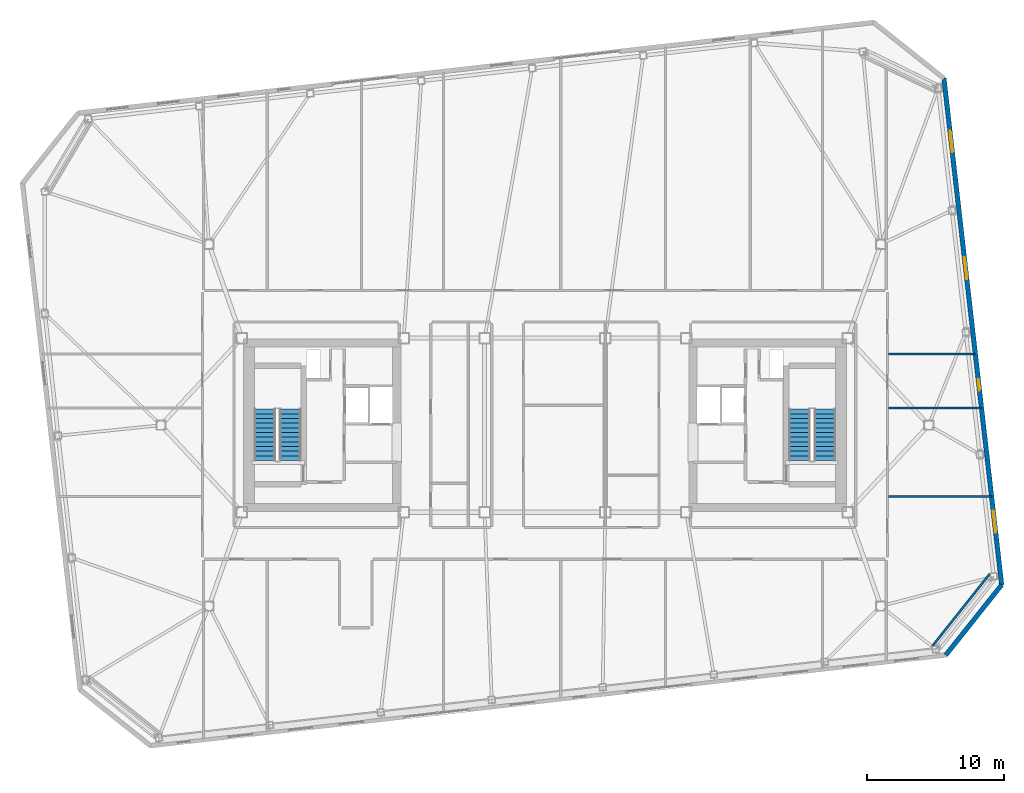
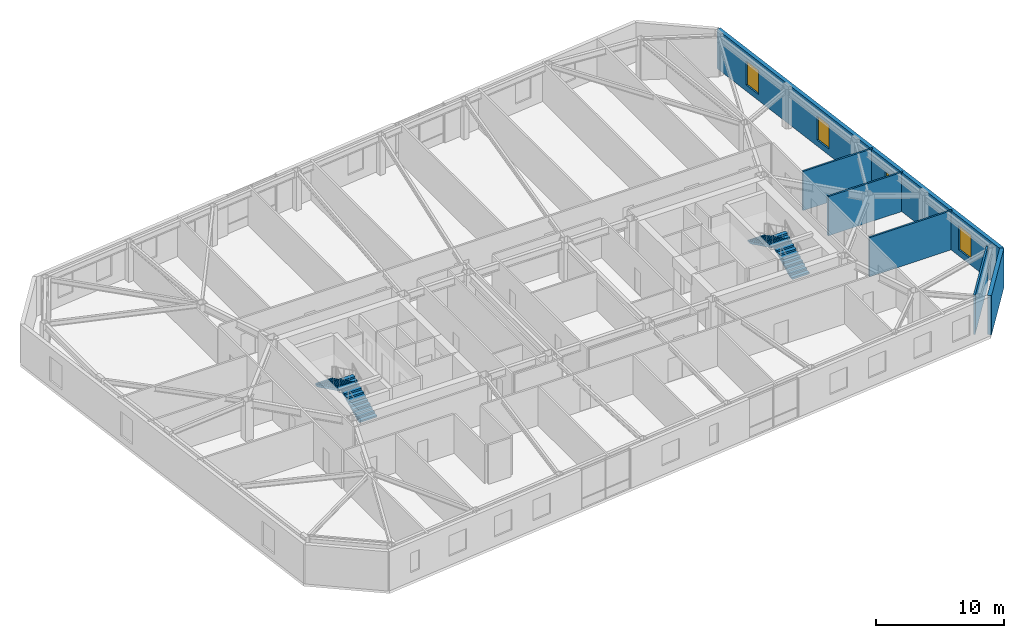
# One storey, part 16 of 19: 6 walls, 4 stair flights, 4 windows, 4 openings, 2 elements without a shape of their own.
"""IFC4 building model written with IfcOpenShell, lengths in metres."""

from ifc_helpers import new_model, si_unit, direction, frame, frame_2d, origin, place, context, subcontext, project, spatial, polyline, rectangle, outline, extrude, material, layer, layer_set, type_object, element, fill, aggregate, save


model = new_model("IFC4")

# Units and contexts
model_context = context("Model", 3, precision=1e-05, world=origin(), true_north=direction((0.0, 1.0)))
body_context = subcontext(model_context, "Body", "Model", "MODEL_VIEW")
ifc_project = project(units=[si_unit("LENGTHUNIT", "METRE"), si_unit("AREAUNIT", "SQUARE_METRE"), si_unit("VOLUMEUNIT", "CUBIC_METRE"), si_unit("PLANEANGLEUNIT", "RADIAN"), si_unit("MASSUNIT", "GRAM", prefix="KILO")], contexts=[model_context])

# Site, building, storey
site_placement = place(None, origin())
site = spatial("IfcSite", under=ifc_project, at=site_placement, CompositionType="ELEMENT")
building_placement = place(site_placement, origin())
building = spatial("IfcBuilding", under=site, at=building_placement, Name="Tavrogorsk Clinical Tower", CompositionType="ELEMENT")
storey_placement = place(building_placement, frame((0.0, 0.0, 263.0)))
storey = spatial("IfcBuildingStorey", under=building, at=storey_placement, Name="L61", CompositionType="ELEMENT", Elevation=263.0)

# Walls
ifc_material_1 = material(Name="Lightweight concrete blockwork B15", Category="masonry")
ifc_layer_1 = layer(ifc_material_1, 0.159912109375)
ifc_layer_set_1 = layer_set([ifc_layer_1], Name="Lightweight concrete blockwork B15")
wall_type_1 = type_object("IfcWallType", Name="PartitionWall_160", PredefinedType="PARTITIONING", material=ifc_layer_set_1)
wall_1_placement = place(storey_placement, frame((28.242431640625, -16.1337890625, 0.0), z_axis=(0.0, 0.0, 1.0), x_axis=(0.622521563328, 0.782602647064, 0.0)))
element("IfcWall", 1, at=wall_1_placement, inside=storey, type_object=wall_type_1, Name="L61 Corner Exoskeleton Brace Furring Wall 1", PredefinedType="PARTITIONING", context=body_context, shape_type="SweptSolid", body=[
    extrude(rectangle(XDim=6.788330078125, YDim=0.159912109375, at=frame_2d((3.39404296875, 0.0))), origin(), (0.0, 0.0, 1.0), 3.739990234375),
])
wall_2_placement = place(storey_placement, frame((25.06494140625, -5.199951171875, 0.0), z_axis=(0.0, 0.0, 1.0), x_axis=(1.0, 0.0, 0.0)))
element("IfcWall", 2, at=wall_2_placement, inside=storey, type_object=wall_type_1, Name="L61 E Wing Divider 1", PredefinedType="PARTITIONING", context=body_context, shape_type="SweptSolid", body=[
    extrude(rectangle(XDim=7.498046875, YDim=0.159912109375, at=frame_2d((3.7490234375, 0.0))), origin(), (0.0, 0.0, 1.0), 3.739990234375),
])
wall_3_placement = place(storey_placement, frame((25.06494140625, 1.25, 0.0), z_axis=(0.0, 0.0, 1.0), x_axis=(1.0, 0.0, 0.0)))
element("IfcWall", 3, at=wall_3_placement, inside=storey, type_object=wall_type_1, Name="L61 E Wing Divider 2", PredefinedType="PARTITIONING", context=body_context, shape_type="SweptSolid", body=[
    extrude(rectangle(XDim=6.76318359375, YDim=0.159912109375, at=frame_2d((3.381591796875, 0.0))), origin(), (0.0, 0.0, 1.0), 3.739990234375),
])
wall_4_placement = place(storey_placement, frame((25.06494140625, 5.199951171875, 0.0), z_axis=(0.0, 0.0, 1.0), x_axis=(1.0, 0.0, 0.0)))
element("IfcWall", 4, at=wall_4_placement, inside=storey, type_object=wall_type_1, Name="L61 E Wing Divider 3", PredefinedType="PARTITIONING", context=body_context, shape_type="SweptSolid", body=[
    extrude(rectangle(XDim=6.313232421875, YDim=0.159912109375, at=frame_2d((3.15673828125, 0.0))), origin(), (0.0, 0.0, 1.0), 3.739990234375),
])

# Wall, openings, windows
ifc_material_2 = material(Name="Precast concrete B45 with limestone cladding", Category="masonry")
ifc_layer_2 = layer(ifc_material_2, 0.340087890625)
ifc_layer_set_2 = layer_set([ifc_layer_2], Name="Precast concrete B45 with limestone cladding")
wall_type_2 = type_object("IfcWallType", Name="PrecastLimestoneWall_340", PredefinedType="STANDARD", material=ifc_layer_set_2)
wall_5_placement = place(storey_placement, frame((33.318115234375, -11.65087890625, 0.0), z_axis=(0.0, 0.0, 1.0), x_axis=(-0.11320360501, 0.9935718111, 0.0)))
wall_5 = element("IfcWall", 5, at=wall_5_placement, inside=storey, type_object=wall_type_2, Name="L61 E Pleated Limestone Wing Wall", PredefinedType="STANDARD", context=body_context, shape_type="SweptSolid", body=[
    extrude(rectangle(XDim=37.199951171875, YDim=0.340087890625, at=frame_2d((18.60009765625, 0.0))), origin(), (0.0, 0.0, 1.0), 3.739990234375),
])
opening_1_placement = place(wall_5_placement, frame((3.85009765625, 0.0, 0.580078125)))
opening_1 = element("IfcOpeningElement", 6, at=opening_1_placement, cuts=wall_5, Name="Opening WN-07", PredefinedType="OPENING", context=body_context, shape_type="SweptSolid", body=[
    extrude(rectangle(XDim=1.60009765625, YDim=2.300048828125, at=frame_2d((0.800048828125, 1.14990234375))), frame((0.0, 0.179931640625, 0.0), z_axis=(0.0, -1.0, 0.0), x_axis=(1.0, 0.0, 0.0)), (0.0, 0.0, 1.0), 0.360107421875),
])
opening_2_placement = place(wall_5_placement, frame((14.25, 0.0, 0.75)))
opening_2 = element("IfcOpeningElement", 7, at=opening_2_placement, cuts=wall_5, Name="Opening WN-06", PredefinedType="OPENING", context=body_context, shape_type="SweptSolid", body=[
    extrude(rectangle(XDim=0.85009765625, YDim=1.85009765625, at=frame_2d((0.425048828125, 0.925048828125))), frame((0.0, 0.179931640625, 0.0), z_axis=(0.0, -1.0, 0.0), x_axis=(1.0, 0.0, 0.0)), (0.0, 0.0, 1.0), 0.360107421875),
])
opening_3_placement = place(wall_5_placement, frame((22.449951171875, 0.0, 0.580078125)))
opening_3 = element("IfcOpeningElement", 8, at=opening_3_placement, cuts=wall_5, Name="Opening WN-07", PredefinedType="OPENING", context=body_context, shape_type="SweptSolid", body=[
    extrude(rectangle(XDim=1.60009765625, YDim=2.300048828125, at=frame_2d((0.800048828125, 1.14990234375))), frame((0.0, 0.179931640625, 0.0), z_axis=(0.0, -1.0, 0.0), x_axis=(1.0, 0.0, 0.0)), (0.0, 0.0, 1.0), 0.360107421875),
])
opening_4_placement = place(wall_5_placement, frame((31.75, 0.0, 0.580078125)))
opening_4 = element("IfcOpeningElement", 9, at=opening_4_placement, cuts=wall_5, Name="Opening WN-07", PredefinedType="OPENING", context=body_context, shape_type="SweptSolid", body=[
    extrude(rectangle(XDim=1.60009765625, YDim=2.300048828125, at=frame_2d((0.800048828125, 1.14990234375))), frame((0.0, 0.179931640625, 0.0), z_axis=(0.0, -1.0, 0.0), x_axis=(1.0, 0.0, 0.0)), (0.0, 0.0, 1.0), 0.360107421875),
])
ifc_material_3 = material(Name="Thermally broken aluminium frame and triple IGU", Category="aluminium")
window_type_1 = type_object("IfcWindowType", Name="MullionSubWin_850x1850", PartitioningType="SINGLE_PANEL", PredefinedType="WINDOW", material=ifc_material_3)
window_1_placement = place(opening_2_placement, origin())
window_1 = element("IfcWindow", 10, at=window_1_placement, inside=storey, type_object=window_type_1, Name="L61 E Pleat Mullion Window 2B", OverallHeight=1.85009765625, OverallWidth=0.85009765625, PartitioningType="SINGLE_PANEL", PredefinedType="WINDOW", context=body_context, shape_type="SweptSolid", body=[
    extrude(rectangle(XDim=0.85009765625, YDim=1.85009765625, at=frame_2d((0.425048828125, 0.925048828125))), frame((0.0, 0.030029296875, 0.0), z_axis=(0.0, -1.0, 0.0), x_axis=(1.0, 0.0, 0.0)), (0.0, 0.0, 1.0), 0.06005859375),
])
fill(opening_2, window_1)
ifc_material_4 = material(Name="Thermally broken aluminium frame and triple IGU", Category="aluminium")
window_type_2 = type_object("IfcWindowType", Name="PleatSlotWin_1600x2300", PartitioningType="SINGLE_PANEL", PredefinedType="WINDOW", material=ifc_material_4)
window_2_placement = place(opening_1_placement, origin())
window_2 = element("IfcWindow", 11, at=window_2_placement, inside=storey, type_object=window_type_2, Name="L61 E Pleat Slot Window 1", OverallHeight=2.300048828125, OverallWidth=1.60009765625, PartitioningType="SINGLE_PANEL", PredefinedType="WINDOW", context=body_context, shape_type="SweptSolid", body=[
    extrude(rectangle(XDim=1.60009765625, YDim=2.300048828125, at=frame_2d((0.800048828125, 1.14990234375))), frame((0.0, 0.030029296875, 0.0), z_axis=(0.0, -1.0, 0.0), x_axis=(1.0, 0.0, 0.0)), (0.0, 0.0, 1.0), 0.06005859375),
])
fill(opening_1, window_2)
window_3_placement = place(opening_3_placement, origin())
window_3 = element("IfcWindow", 12, at=window_3_placement, inside=storey, type_object=window_type_2, Name="L61 E Pleat Slot Window 3", OverallHeight=2.300048828125, OverallWidth=1.60009765625, PartitioningType="SINGLE_PANEL", PredefinedType="WINDOW", context=body_context, shape_type="SweptSolid", body=[
    extrude(rectangle(XDim=1.60009765625, YDim=2.300048828125, at=frame_2d((0.800048828125, 1.14990234375))), frame((0.0, 0.030029296875, 0.0), z_axis=(0.0, -1.0, 0.0), x_axis=(1.0, 0.0, 0.0)), (0.0, 0.0, 1.0), 0.06005859375),
])
fill(opening_3, window_3)
window_4_placement = place(opening_4_placement, origin())
window_4 = element("IfcWindow", 13, at=window_4_placement, inside=storey, type_object=window_type_2, Name="L61 E Pleat Slot Window 4", OverallHeight=2.300048828125, OverallWidth=1.60009765625, PartitioningType="SINGLE_PANEL", PredefinedType="WINDOW", context=body_context, shape_type="SweptSolid", body=[
    extrude(rectangle(XDim=1.60009765625, YDim=2.300048828125, at=frame_2d((0.800048828125, 1.14990234375))), frame((0.0, 0.030029296875, 0.0), z_axis=(0.0, -1.0, 0.0), x_axis=(1.0, 0.0, 0.0)), (0.0, 0.0, 1.0), 0.06005859375),
])
fill(opening_4, window_4)

# Wall
wall_6_placement = place(storey_placement, frame((29.241943359375, -16.775146484375, 0.0), z_axis=(0.0, 0.0, 1.0), x_axis=(0.62252823689, 0.78259733853, 0.0)))
element("IfcWall", 14, at=wall_6_placement, inside=storey, type_object=wall_type_2, Name="L61 Chamfered Corner Wall 1", PredefinedType="STANDARD", context=body_context, shape_type="SweptSolid", body=[
    extrude(rectangle(XDim=6.5478515625, YDim=0.340087890625, at=frame_2d((3.27392578125, 0.0))), origin(), (0.0, 0.0, 1.0), 3.739990234375),
])

# Stair, stair flights
ifc_material_5 = material(Name="Concrete B60", Category="concrete")
stair_type = type_object("IfcStairType", Name="CoreStairAssembly", PredefinedType="HALF_TURN_STAIR", material=ifc_material_5)
stair_1_placement = place(storey_placement, origin())
stair_1 = element("IfcStair", 15, at=stair_1_placement, inside=storey, type_object=stair_type, Name="L61 ST-W", PredefinedType="HALF_TURN_STAIR")
ifc_material_6 = material(Name="Concrete B60", Category="concrete")
stair_flight_type = type_object("IfcStairFlightType", Name="CoreStairFlight", PredefinedType="STRAIGHT", material=ifc_material_6)
stair_flight_1_placement = place(storey_placement, frame((-18.574951171875, -2.574951171875, 0.0), z_axis=(0.0, 0.0, 1.0), x_axis=(0.0, 1.0, 0.0)))
stair_flight_1 = element("IfcStairFlight", 16, at=stair_flight_1_placement, type_object=stair_flight_type, Name="ST-W flight 1", NumberOfRisers=12, NumberOfTreads=11, PredefinedType="STRAIGHT", RiserHeight=0.166666667, TreadLength=0.34, context=body_context, shape_type="SweptSolid", body=[
    extrude(outline(polyline([(0.0, 0.0), (0.0, 0.166748046875), (0.340087890625, 0.166748046875), (0.340087890625, 0.333251953125), (0.679931640625, 0.333251953125), (0.679931640625, 0.5), (1.02001953125, 0.5), (1.02001953125, 0.666748046875), (1.360107421875, 0.666748046875), (1.360107421875, 0.833251953125), (1.699951171875, 0.833251953125), (1.699951171875, 1.0), (2.0400390625, 1.0), (2.0400390625, 1.166748046875), (2.3798828125, 1.166748046875), (2.3798828125, 1.333251953125), (2.719970703125, 1.333251953125), (2.719970703125, 1.5), (3.06005859375, 1.5), (3.06005859375, 1.666748046875), (3.39990234375, 1.666748046875), (3.39990234375, 1.833251953125), (3.739990234375, 1.833251953125), (3.739990234375, 2.0), (3.739990234375, 1.66650390625), (0.340576171875, 0.0), (0.0, 0.0)])), frame((0.0, 0.77490234375, 0.0), z_axis=(0.0, -1.0, 0.0), x_axis=(1.0, 0.0, 0.0)), (0.0, 0.0, 1.0), 1.550048828125),
])
stair_flight_2_placement = place(storey_placement, frame((-20.425048828125, 1.1650390625, 2.0), z_axis=(0.0, 0.0, 1.0), x_axis=(0.0, -1.0, 0.0)))
stair_flight_2 = element("IfcStairFlight", 17, at=stair_flight_2_placement, type_object=stair_flight_type, Name="ST-W flight 2", NumberOfRisers=12, NumberOfTreads=11, PredefinedType="STRAIGHT", RiserHeight=0.166666667, TreadLength=0.34, context=body_context, shape_type="SweptSolid", body=[
    extrude(outline(polyline([(0.0, 0.0), (0.0, 0.166748046875), (0.340087890625, 0.166748046875), (0.340087890625, 0.333251953125), (0.679931640625, 0.333251953125), (0.679931640625, 0.5), (1.02001953125, 0.5), (1.02001953125, 0.666748046875), (1.360107421875, 0.666748046875), (1.360107421875, 0.833251953125), (1.699951171875, 0.833251953125), (1.699951171875, 1.0), (2.0400390625, 1.0), (2.0400390625, 1.166748046875), (2.3798828125, 1.166748046875), (2.3798828125, 1.333251953125), (2.719970703125, 1.333251953125), (2.719970703125, 1.5), (3.06005859375, 1.5), (3.06005859375, 1.666748046875), (3.39990234375, 1.666748046875), (3.39990234375, 1.833251953125), (3.739990234375, 1.833251953125), (3.739990234375, 2.0), (3.739990234375, 1.66650390625), (0.340576171875, 0.0), (0.0, 0.0)])), frame((0.0, 0.77490234375, 0.0), z_axis=(0.0, -1.0, 0.0), x_axis=(1.0, 0.0, 0.0)), (0.0, 0.0, 1.0), 1.550048828125),
])
aggregate(stair_1, [stair_flight_1, stair_flight_2])

stair_2_placement = place(storey_placement, origin())
stair_2 = element("IfcStair", 18, at=stair_2_placement, inside=storey, type_object=stair_type, Name="L61 ST-E", PredefinedType="HALF_TURN_STAIR")
stair_flight_3_placement = place(storey_placement, frame((20.425048828125, -2.574951171875, 0.0), z_axis=(0.0, 0.0, 1.0), x_axis=(0.0, 1.0, 0.0)))
stair_flight_3 = element("IfcStairFlight", 19, at=stair_flight_3_placement, type_object=stair_flight_type, Name="ST-E flight 1", NumberOfRisers=12, NumberOfTreads=11, PredefinedType="STRAIGHT", RiserHeight=0.166666667, TreadLength=0.34, context=body_context, shape_type="SweptSolid", body=[
    extrude(outline(polyline([(0.0, 0.0), (0.0, 0.166748046875), (0.340087890625, 0.166748046875), (0.340087890625, 0.333251953125), (0.679931640625, 0.333251953125), (0.679931640625, 0.5), (1.02001953125, 0.5), (1.02001953125, 0.666748046875), (1.360107421875, 0.666748046875), (1.360107421875, 0.833251953125), (1.699951171875, 0.833251953125), (1.699951171875, 1.0), (2.0400390625, 1.0), (2.0400390625, 1.166748046875), (2.3798828125, 1.166748046875), (2.3798828125, 1.333251953125), (2.719970703125, 1.333251953125), (2.719970703125, 1.5), (3.06005859375, 1.5), (3.06005859375, 1.666748046875), (3.39990234375, 1.666748046875), (3.39990234375, 1.833251953125), (3.739990234375, 1.833251953125), (3.739990234375, 2.0), (3.739990234375, 1.66650390625), (0.340576171875, 0.0), (0.0, 0.0)])), frame((0.0, 0.77490234375, 0.0), z_axis=(0.0, -1.0, 0.0), x_axis=(1.0, 0.0, 0.0)), (0.0, 0.0, 1.0), 1.550048828125),
])
stair_flight_4_placement = place(storey_placement, frame((18.574951171875, 1.1650390625, 2.0), z_axis=(0.0, 0.0, 1.0), x_axis=(0.0, -1.0, 0.0)))
stair_flight_4 = element("IfcStairFlight", 20, at=stair_flight_4_placement, type_object=stair_flight_type, Name="ST-E flight 2", NumberOfRisers=12, NumberOfTreads=11, PredefinedType="STRAIGHT", RiserHeight=0.166666667, TreadLength=0.34, context=body_context, shape_type="SweptSolid", body=[
    extrude(outline(polyline([(0.0, 0.0), (0.0, 0.166748046875), (0.340087890625, 0.166748046875), (0.340087890625, 0.333251953125), (0.679931640625, 0.333251953125), (0.679931640625, 0.5), (1.02001953125, 0.5), (1.02001953125, 0.666748046875), (1.360107421875, 0.666748046875), (1.360107421875, 0.833251953125), (1.699951171875, 0.833251953125), (1.699951171875, 1.0), (2.0400390625, 1.0), (2.0400390625, 1.166748046875), (2.3798828125, 1.166748046875), (2.3798828125, 1.333251953125), (2.719970703125, 1.333251953125), (2.719970703125, 1.5), (3.06005859375, 1.5), (3.06005859375, 1.666748046875), (3.39990234375, 1.666748046875), (3.39990234375, 1.833251953125), (3.739990234375, 1.833251953125), (3.739990234375, 2.0), (3.739990234375, 1.66650390625), (0.340576171875, 0.0), (0.0, 0.0)])), frame((0.0, 0.77490234375, 0.0), z_axis=(0.0, -1.0, 0.0), x_axis=(1.0, 0.0, 0.0)), (0.0, 0.0, 1.0), 1.550048828125),
])
aggregate(stair_2, [stair_flight_3, stair_flight_4])

save(model, "model.ifc")
